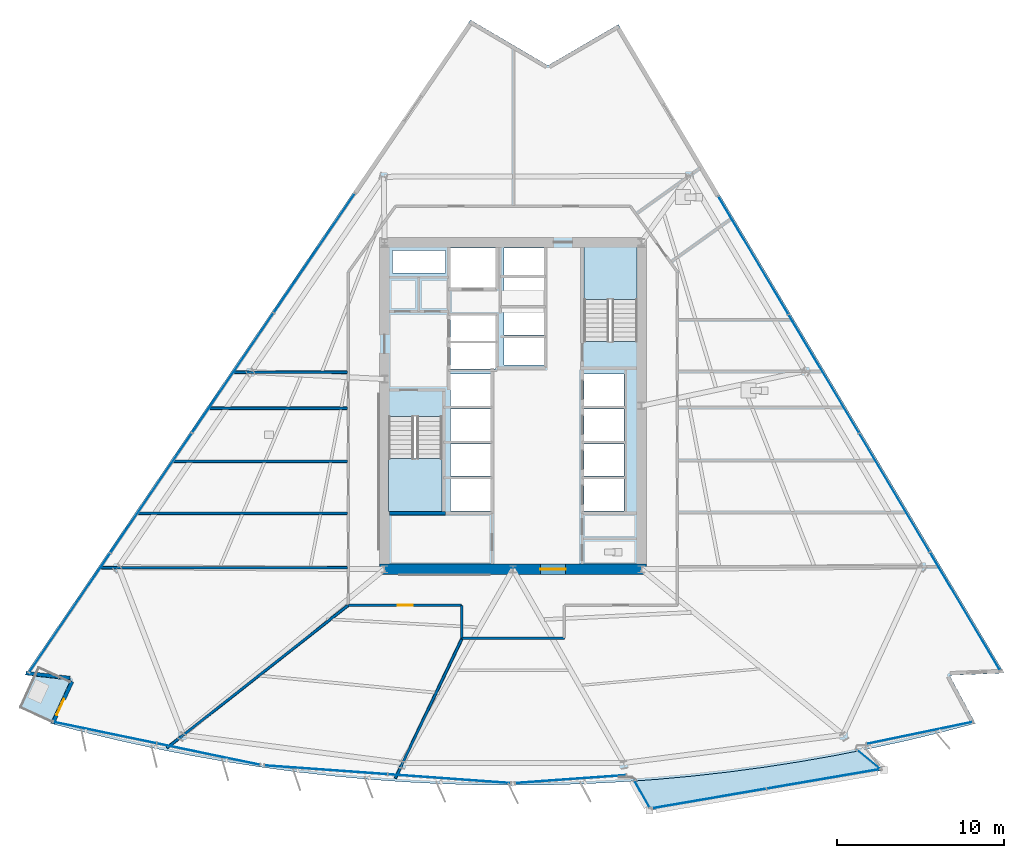
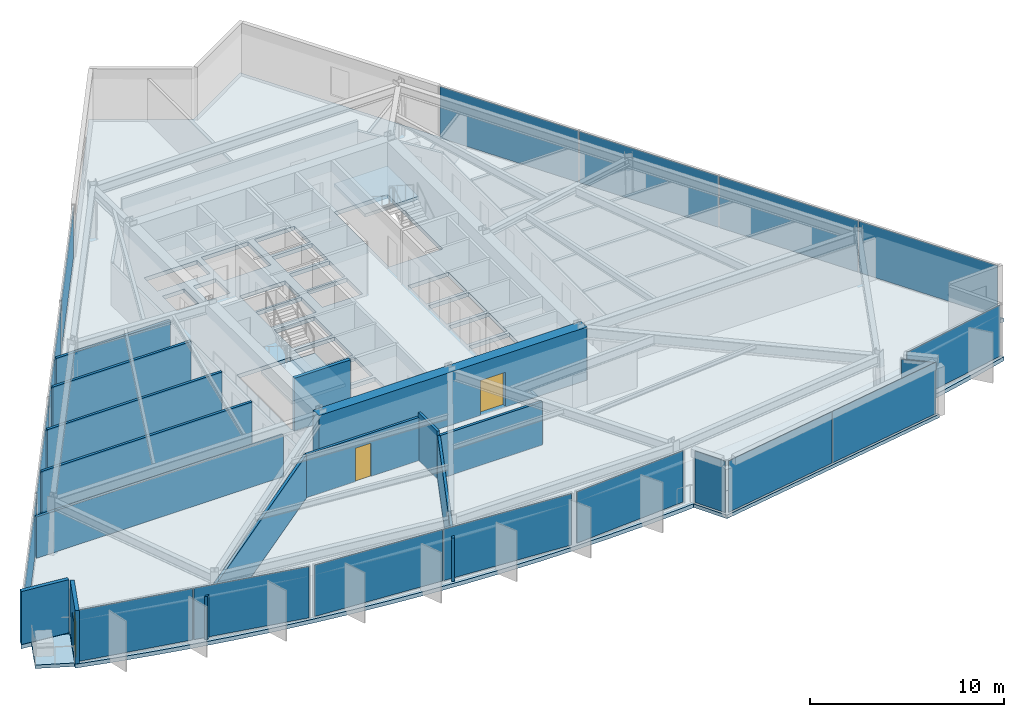
# One storey, part 7 of 16: 18 plates, 14 walls, 5 slabs, 3 doors, 3 openings, 11 elements without a shape of their own.
"""IFC4 building model written with IfcOpenShell, lengths in metres."""

from ifc_helpers import new_model, si_unit, direction, frame, frame_2d, origin, origin_2d, place, context, subcontext, project, spatial, polyline, rectangle, outline, extrude, material, layer, layer_set, type_object, element, fill, aggregate, save


model = new_model("IFC4")

# Units and contexts
model_context = context("Model", 3, precision=1e-05, world=origin(), true_north=direction((0.0, 1.0)))
body_context = subcontext(model_context, "Body", "Model", "MODEL_VIEW")
ifc_project = project(units=[si_unit("LENGTHUNIT", "METRE"), si_unit("AREAUNIT", "SQUARE_METRE"), si_unit("VOLUMEUNIT", "CUBIC_METRE"), si_unit("PLANEANGLEUNIT", "RADIAN"), si_unit("MASSUNIT", "GRAM", prefix="KILO")], contexts=[model_context])

# Site, building, storey
site_placement = place(None, origin())
site = spatial("IfcSite", under=ifc_project, at=site_placement, CompositionType="ELEMENT")
building_placement = place(site_placement, origin())
building = spatial("IfcBuilding", under=site, at=building_placement, Name="Savorim Split Tower", CompositionType="ELEMENT")
storey_placement = place(building_placement, frame((0.0, 0.0, 51.60009765625)))
storey = spatial("IfcBuildingStorey", under=building, at=storey_placement, Name="L13", CompositionType="ELEMENT", Elevation=51.60009765625)

# Curtain wall, plates
ifc_material_1 = material(Name="Dark Ceramic-Fritted Insulated Glass", Category="glass")
curtain_wall_type_1 = type_object("IfcCurtainWallType", Name="CW-TWR-FRIT-A", PredefinedType="NOTDEFINED", material=ifc_material_1)
curtain_wall_1_placement = place(storey_placement, origin())
curtain_wall_1 = element("IfcCurtainWall", 1, at=curtain_wall_1_placement, inside=storey, type_object=curtain_wall_type_1, Name="L13 Curtain Wall CW-L13-SF1A", PredefinedType="NOTDEFINED")
ifc_layer_1 = layer(ifc_material_1, 0.028076171875)
ifc_layer_set_1 = layer_set([ifc_layer_1], Name="CWP-FRITA-28")
plate_type_1 = type_object("IfcPlateType", Name="CWP-FRITA-28", PredefinedType="CURTAIN_PANEL", material=ifc_layer_set_1)
plate_1_placement = place(storey_placement, frame((-24.46240234375, -19.19482421875, 0.0546875), z_axis=(0.0, 0.0, 1.0), x_axis=(0.979133896415, -0.203216172809, 0.0)))
plate_1 = element("IfcPlate", 2, at=plate_1_placement, type_object=plate_type_1, Name="CW-02 panel 1.1", PredefinedType="CURTAIN_PANEL", context=body_context, shape_type="SweptSolid", body=[
    extrude(rectangle(XDim=6.27099609375, YDim=0.028076171875, at=origin_2d()), origin(), (0.0, 0.0, 1.0), 3.239990234375),
])
plate_2_placement = place(storey_placement, frame((-18.258544921875, -20.482421875, 0.0546875), z_axis=(0.0, 0.0, 1.0), x_axis=(0.979133896415, -0.203216172809, 0.0)))
plate_2 = element("IfcPlate", 3, at=plate_2_placement, type_object=plate_type_1, Name="CW-02 panel 2.1", PredefinedType="CURTAIN_PANEL", context=body_context, shape_type="SweptSolid", body=[
    extrude(rectangle(XDim=6.27099609375, YDim=0.028076171875, at=origin_2d()), origin(), (0.0, 0.0, 1.0), 3.239990234375),
])
aggregate(curtain_wall_1, [plate_1, plate_2])

curtain_wall_2_placement = place(storey_placement, origin())
curtain_wall_2 = element("IfcCurtainWall", 4, at=curtain_wall_2_placement, inside=storey, type_object=curtain_wall_type_1, Name="L13 Curtain Wall CW-L13-SF2A", PredefinedType="NOTDEFINED")
plate_3_placement = place(storey_placement, frame((-11.2138671875, -21.425537109375, 0.0546875), z_axis=(0.0, 0.0, 1.0), x_axis=(0.99743638956, -0.071558708634, 0.0)))
plate_3 = element("IfcPlate", 5, at=plate_3_placement, type_object=plate_type_1, Name="CW-02 panel 1.1", PredefinedType="CURTAIN_PANEL", context=body_context, shape_type="SweptSolid", body=[
    extrude(rectangle(XDim=7.347412109375, YDim=0.028076171875, at=origin_2d()), origin(), (0.0, 0.0, 1.0), 3.239990234375),
])
plate_4_placement = place(storey_placement, frame((-3.8203125, -21.9560546875, 0.0546875), z_axis=(0.0, 0.0, 1.0), x_axis=(0.99743638956, -0.071558708634, 0.0)))
plate_4 = element("IfcPlate", 6, at=plate_4_placement, type_object=plate_type_1, Name="CW-02 panel 2.1", PredefinedType="CURTAIN_PANEL", context=body_context, shape_type="SweptSolid", body=[
    extrude(rectangle(XDim=7.347412109375, YDim=0.028076171875, at=origin_2d()), origin(), (0.0, 0.0, 1.0), 3.239990234375),
])
aggregate(curtain_wall_2, [plate_3, plate_4])

# Curtain wall, plate
curtain_wall_3_placement = place(storey_placement, origin())
curtain_wall_3 = element("IfcCurtainWall", 7, at=curtain_wall_3_placement, inside=storey, type_object=curtain_wall_type_1, Name="L13 Curtain Wall CW-L13-SF3A", PredefinedType="NOTDEFINED")
plate_5_placement = place(storey_placement, frame((3.45947265625, -21.98193359375, 0.0546875), z_axis=(0.0, 0.0, 1.0), x_axis=(0.997436404283, 0.071558503422, 0.0)))
plate_5 = element("IfcPlate", 8, at=plate_5_placement, type_object=plate_type_1, Name="CW-02 panel 1.1", PredefinedType="CURTAIN_PANEL", context=body_context, shape_type="SweptSolid", body=[
    extrude(rectangle(XDim=6.6240234375, YDim=0.028076171875, at=origin_2d()), origin(), (0.0, 0.0, 1.0), 3.239990234375),
])
aggregate(curtain_wall_3, [plate_5])

curtain_wall_4_placement = place(storey_placement, origin())
curtain_wall_4 = element("IfcCurtainWall", 9, at=curtain_wall_4_placement, inside=storey, type_object=curtain_wall_type_1, Name="L13 Curtain Wall CW-L13-SF4A", PredefinedType="NOTDEFINED")
plate_6_placement = place(storey_placement, frame((24.37451171875, -19.212890625, 0.0546875), z_axis=(0.0, 0.0, 1.0), x_axis=(0.979135263748, 0.203209584628, 0.0)))
plate_6 = element("IfcPlate", 10, at=plate_6_placement, type_object=plate_type_1, Name="CW-02 panel 1.1", PredefinedType="CURTAIN_PANEL", context=body_context, shape_type="SweptSolid", body=[
    extrude(rectangle(XDim=6.450439453125, YDim=0.028076171875, at=origin_2d()), origin(), (0.0, 0.0, 1.0), 3.239990234375),
])
aggregate(curtain_wall_4, [plate_6])

# Curtain wall, plates
curtain_wall_5_placement = place(storey_placement, origin())
curtain_wall_5 = element("IfcCurtainWall", 11, at=curtain_wall_5_placement, inside=storey, type_object=curtain_wall_type_1, Name="L13 Curtain Wall CW-L13-EAST", PredefinedType="NOTDEFINED")
plate_7_placement = place(storey_placement, frame((27.0947265625, -11.918701171875, 0.0546875), z_axis=(0.0, 0.0, 1.0), x_axis=(-0.511092320583, 0.859525822673, 0.0)))
plate_7 = element("IfcPlate", 12, at=plate_7_placement, type_object=plate_type_1, Name="CW-02 panel 1.1", PredefinedType="CURTAIN_PANEL", context=body_context, shape_type="SweptSolid", body=[
    extrude(rectangle(XDim=8.18896484375, YDim=0.028076171875, at=origin_2d()), origin(), (0.0, 0.0, 1.0), 3.239990234375),
])
plate_8_placement = place(storey_placement, frame((22.867919921875, -4.81005859375, 0.0546875), z_axis=(0.0, 0.0, 1.0), x_axis=(-0.511092320583, 0.859525822673, 0.0)))
plate_8 = element("IfcPlate", 13, at=plate_8_placement, type_object=plate_type_1, Name="CW-02 panel 2.1", PredefinedType="CURTAIN_PANEL", context=body_context, shape_type="SweptSolid", body=[
    extrude(rectangle(XDim=8.221435546875, YDim=0.028076171875, at=origin_2d()), origin(), (0.0, 0.0, 1.0), 3.239990234375),
])
plate_9_placement = place(storey_placement, frame((18.632568359375, 2.3125, 0.0546875), z_axis=(0.0, 0.0, 1.0), x_axis=(-0.511092320583, 0.859525822673, 0.0)))
plate_9 = element("IfcPlate", 14, at=plate_9_placement, type_object=plate_type_1, Name="CW-02 panel 3.1", PredefinedType="CURTAIN_PANEL", context=body_context, shape_type="SweptSolid", body=[
    extrude(rectangle(XDim=8.221435546875, YDim=0.028076171875, at=origin_2d()), origin(), (0.0, 0.0, 1.0), 3.239990234375),
])
plate_10_placement = place(storey_placement, frame((14.40576171875, 9.4208984375, 0.0546875), z_axis=(0.0, 0.0, 1.0), x_axis=(-0.511092320583, 0.859525822673, 0.0)))
plate_10 = element("IfcPlate", 15, at=plate_10_placement, type_object=plate_type_1, Name="CW-02 panel 4.1", PredefinedType="CURTAIN_PANEL", context=body_context, shape_type="SweptSolid", body=[
    extrude(rectangle(XDim=8.18896484375, YDim=0.028076171875, at=origin_2d()), origin(), (0.0, 0.0, 1.0), 3.239990234375),
])
aggregate(curtain_wall_5, [plate_7, plate_8, plate_9, plate_10])

curtain_wall_6_placement = place(storey_placement, origin())
curtain_wall_6 = element("IfcCurtainWall", 16, at=curtain_wall_6_placement, inside=storey, type_object=curtain_wall_type_1, Name="L13 Curtain Wall CW-L13-WEST", PredefinedType="NOTDEFINED")
plate_11_placement = place(storey_placement, frame((-11.907470703125, 9.5517578125, 0.0546875), z_axis=(0.0, 0.0, 1.0), x_axis=(-0.562466356423, -0.826820172644, 0.0)))
plate_11 = element("IfcPlate", 17, at=plate_11_placement, type_object=plate_type_1, Name="CW-02 panel 1.1", PredefinedType="CURTAIN_PANEL", context=body_context, shape_type="SweptSolid", body=[
    extrude(rectangle(XDim=8.606201171875, YDim=0.028076171875, at=origin_2d()), origin(), (0.0, 0.0, 1.0), 3.239990234375),
])
plate_12_placement = place(storey_placement, frame((-16.7939453125, 2.368896484375, 0.0546875), z_axis=(0.0, 0.0, 1.0), x_axis=(-0.562466356423, -0.826820172644, 0.0)))
plate_12 = element("IfcPlate", 18, at=plate_12_placement, type_object=plate_type_1, Name="CW-02 panel 2.1", PredefinedType="CURTAIN_PANEL", context=body_context, shape_type="SweptSolid", body=[
    extrude(rectangle(XDim=8.638671875, YDim=0.028076171875, at=origin_2d()), origin(), (0.0, 0.0, 1.0), 3.239990234375),
])
plate_13_placement = place(storey_placement, frame((-21.689453125, -4.82763671875, 0.0546875), z_axis=(0.0, 0.0, 1.0), x_axis=(-0.562466356423, -0.826820172644, 0.0)))
plate_13 = element("IfcPlate", 19, at=plate_13_placement, type_object=plate_type_1, Name="CW-02 panel 3.1", PredefinedType="CURTAIN_PANEL", context=body_context, shape_type="SweptSolid", body=[
    extrude(rectangle(XDim=8.638671875, YDim=0.028076171875, at=origin_2d()), origin(), (0.0, 0.0, 1.0), 3.239990234375),
])
plate_14_placement = place(storey_placement, frame((-26.57568359375, -12.010498046875, 0.0546875), z_axis=(0.0, 0.0, 1.0), x_axis=(-0.562466356423, -0.826820172644, 0.0)))
plate_14 = element("IfcPlate", 20, at=plate_14_placement, type_object=plate_type_1, Name="CW-02 panel 4.1", PredefinedType="CURTAIN_PANEL", context=body_context, shape_type="SweptSolid", body=[
    extrude(rectangle(XDim=8.606201171875, YDim=0.028076171875, at=origin_2d()), origin(), (0.0, 0.0, 1.0), 3.239990234375),
])
aggregate(curtain_wall_6, [plate_11, plate_12, plate_13, plate_14])

curtain_wall_type_2 = type_object("IfcCurtainWallType", Name="CW-BAY-LOUNGE", PredefinedType="NOTDEFINED", material=ifc_material_1)
curtain_wall_7_placement = place(storey_placement, origin())
curtain_wall_7 = element("IfcCurtainWall", 21, at=curtain_wall_7_placement, inside=storey, type_object=curtain_wall_type_2, Name="L13 Curtain Wall CW-L13-BAYF", PredefinedType="NOTDEFINED")
ifc_material_2 = material(Name="Low-E Operable Double Glazing", Category="glass")
ifc_layer_2 = layer(ifc_material_2, 0.031982421875)
ifc_layer_set_2 = layer_set([ifc_layer_2], Name="CWP-POD-32")
plate_type_2 = type_object("IfcPlateType", Name="CWP-POD-32", PredefinedType="CURTAIN_PANEL", material=ifc_layer_set_2)
plate_15_placement = place(storey_placement, frame((11.75537109375, -23.145263671875, 0.0546875), z_axis=(0.0, 0.0, 1.0), x_axis=(0.985629301473, 0.168922704446, 0.0)))
plate_15 = element("IfcPlate", 22, at=plate_15_placement, type_object=plate_type_2, Name="CW-04 panel 1.1", PredefinedType="CURTAIN_PANEL", context=body_context, shape_type="SweptSolid", body=[
    extrude(rectangle(XDim=6.924072265625, YDim=0.031982421875, at=origin_2d()), origin(), (0.0, 0.0, 1.0), 3.239990234375),
])
plate_16_placement = place(storey_placement, frame((18.64404296875, -21.964599609375, 0.0546875), z_axis=(0.0, 0.0, 1.0), x_axis=(0.985629301473, 0.168922704446, 0.0)))
plate_16 = element("IfcPlate", 23, at=plate_16_placement, type_object=plate_type_2, Name="CW-04 panel 2.1", PredefinedType="CURTAIN_PANEL", context=body_context, shape_type="SweptSolid", body=[
    extrude(rectangle(XDim=6.924072265625, YDim=0.031982421875, at=origin_2d()), origin(), (0.0, 0.0, 1.0), 3.239990234375),
])
aggregate(curtain_wall_7, [plate_15, plate_16])

# Curtain wall, plate
curtain_wall_8_placement = place(storey_placement, origin())
curtain_wall_8 = element("IfcCurtainWall", 24, at=curtain_wall_8_placement, inside=storey, type_object=curtain_wall_type_2, Name="L13 Curtain Wall CW-L13-BAYW", PredefinedType="NOTDEFINED")
plate_17_placement = place(storey_placement, frame((7.73779296875, -22.879150390625, 0.0546875), z_axis=(0.0, 0.0, 1.0), x_axis=(0.492259363735, -0.870448573332, 0.0)))
plate_17 = element("IfcPlate", 25, at=plate_17_placement, type_object=plate_type_2, Name="CW-04 panel 1.1", PredefinedType="CURTAIN_PANEL", context=body_context, shape_type="SweptSolid", body=[
    extrude(rectangle(XDim=1.81005859375, YDim=0.031982421875, at=origin_2d()), origin(), (0.0, 0.0, 1.0), 3.239990234375),
])
aggregate(curtain_wall_8, [plate_17])

curtain_wall_9_placement = place(storey_placement, origin())
curtain_wall_9 = element("IfcCurtainWall", 26, at=curtain_wall_9_placement, inside=storey, type_object=curtain_wall_type_2, Name="L13 Curtain Wall CW-L13-BAYE", PredefinedType="NOTDEFINED")
plate_18_placement = place(storey_placement, frame((21.326904296875, -20.808349609375, 0.0546875), z_axis=(0.0, 0.0, 1.0), x_axis=(-0.770361091507, 0.637607864358, 0.0)))
plate_18 = element("IfcPlate", 27, at=plate_18_placement, type_object=plate_type_2, Name="CW-04 panel 1.1", PredefinedType="CURTAIN_PANEL", context=body_context, shape_type="SweptSolid", body=[
    extrude(rectangle(XDim=1.705078125, YDim=0.031982421875, at=origin_2d()), origin(), (0.0, 0.0, 1.0), 3.239990234375),
])
aggregate(curtain_wall_9, [plate_18])

# Slabs
ifc_material_3 = material(Name="Concrete C50/60", Category="concrete")
ifc_layer_3 = layer(ifc_material_3, 0.219970703125)
ifc_layer_set_3 = layer_set([ifc_layer_3], Name="SLB-BAL-220")
slab_type_1 = type_object("IfcSlabType", Name="SLB-BAL-220", PredefinedType="FLOOR", material=ifc_layer_set_3)
slab_1_placement = place(storey_placement, frame((0.0, 0.0, -0.22021484375)))
element("IfcSlab", 28, at=slab_1_placement, inside=storey, type_object=slab_type_1, Name="L13 Cantilevered Shared Kitchen Lounge Slab", PredefinedType="FLOOR", context=body_context, shape_type="SweptSolid", body=[
    extrude(outline(polyline([(20.830322265625, -20.267578125), (19.308349609375, -20.5673828125), (17.183349609375, -20.940673828125), (15.05126953125, -21.2705078125), (12.912841796875, -21.556640625), (10.768798828125, -21.799072265625), (8.62060546875, -21.997314453125), (7.1826171875, -22.1005859375), (8.177490234375, -23.85986328125), (22.255615234375, -21.447021484375), (20.830322265625, -20.267578125)])), origin(), (0.0, 0.0, 1.0), 0.22021484375),
])
slab_2_placement = place(storey_placement, frame((0.0, 0.0, -0.22021484375)))
element("IfcSlab", 29, at=slab_2_placement, inside=storey, type_object=slab_type_1, Name="L13 Notched Corner Planted Tree Balcony Slab", PredefinedType="FLOOR", context=body_context, shape_type="SweptSolid", body=[
    extrude(outline(polyline([(-27.6728515625, -18.530517578125), (-26.578369140625, -16.1484375), (-26.888916015625, -16.005859375), (-28.672119140625, -15.806640625), (-29.531005859375, -17.6767578125), (-27.6728515625, -18.530517578125)])), origin(), (0.0, 0.0, 1.0), 0.22021484375),
])

# Stair, slab
stair_type = type_object("IfcStairType", Name="STR-DOG-3600", PredefinedType="HALF_TURN_STAIR", material=ifc_material_3)
stair_1_placement = place(storey_placement, origin())
stair_1 = element("IfcStair", 30, at=stair_1_placement, inside=storey, type_object=stair_type, Name="L13 Core Protected Exit Stair ST-1", PredefinedType="HALF_TURN_STAIR")
ifc_layer_4 = layer(ifc_material_3, 0.199951171875)
ifc_layer_set_4 = layer_set([ifc_layer_4], Name="SLB-LND-200")
slab_type_2 = type_object("IfcSlabType", Name="SLB-LND-200", PredefinedType="LANDING", material=ifc_layer_set_4)
slab_3_placement = place(storey_placement, frame((0.0, 0.0, 1.599853515625)))
slab_3 = element("IfcSlab", 31, at=slab_3_placement, type_object=slab_type_2, Name="ST-1 landing 1", PredefinedType="LANDING", context=body_context, shape_type="SweptSolid", body=[
    extrude(outline(polyline([(-7.449951171875, -2.77001953125), (-7.449951171875, -5.949951171875), (-4.25, -5.949951171875), (-4.25, -2.77001953125), (-7.449951171875, -2.77001953125)])), origin(), (0.0, 0.0, 1.0), 0.199951171875),
])
aggregate(stair_1, [slab_3])

stair_2_placement = place(storey_placement, origin())
stair_2 = element("IfcStair", 32, at=stair_2_placement, inside=storey, type_object=stair_type, Name="L13 Core Protected Exit Stair ST-2", PredefinedType="HALF_TURN_STAIR")
slab_4_placement = place(storey_placement, frame((0.0, 0.0, 1.599853515625)))
slab_4 = element("IfcSlab", 33, at=slab_4_placement, type_object=slab_type_2, Name="ST-2 landing 1", PredefinedType="LANDING", context=body_context, shape_type="SweptSolid", body=[
    extrude(outline(polyline([(7.449951171875, 6.77001953125), (7.449951171875, 9.949951171875), (4.25, 9.949951171875), (4.25, 6.77001953125), (7.449951171875, 6.77001953125)])), origin(), (0.0, 0.0, 1.0), 0.199951171875),
])
aggregate(stair_2, [slab_4])

# Slab
ifc_layer_5 = layer(ifc_material_3, 0.25)
ifc_layer_set_5 = layer_set([ifc_layer_5], Name="SLB-TWR-250")
slab_type_3 = type_object("IfcSlabType", Name="SLB-TWR-250", PredefinedType="FLOOR", material=ifc_layer_set_5)
slab_5_placement = place(storey_placement, frame((0.0, 0.0, -0.25)))
element("IfcSlab", 34, at=slab_5_placement, inside=storey, type_object=slab_type_3, Name="L13 Structural Floor Slab", PredefinedType="FLOOR", context=body_context, shape_type="SweptSolid", body=[
    extrude(outline(polyline([(-27.718505859375, -18.6416015625), (-25.631103515625, -19.1875), (-23.533203125, -19.6904296875), (-21.42529296875, -20.150390625), (-19.308349609375, -20.5673828125), (-17.183349609375, -20.940673828125), (-15.05126953125, -21.2705078125), (-12.912841796875, -21.556640625), (-10.768798828125, -21.799072265625), (-8.62060546875, -21.997314453125), (-6.468505859375, -22.15185546875), (-4.31396484375, -22.26220703125), (-2.157470703125, -22.328369140625), (0.0, -22.350341796875), (2.157470703125, -22.328369140625), (4.31396484375, -22.26220703125), (6.468505859375, -22.15185546875), (8.62060546875, -21.997314453125), (10.768798828125, -21.799072265625), (12.912841796875, -21.556640625), (15.05126953125, -21.2705078125), (17.183349609375, -20.940673828125), (19.308349609375, -20.5673828125), (21.42529296875, -20.150390625), (23.533203125, -19.6904296875), (25.631103515625, -19.1875), (27.718505859375, -18.6416015625), (26.17236328125, -15.760498046875), (29.436279296875, -15.62158203125), (6.318603515625, 23.256591796875), (2.098388671875, 20.797119140625), (-2.5458984375, 23.526611328125), (-29.255615234375, -15.736572265625), (-26.523681640625, -16.04150390625), (-27.718505859375, -18.6416015625)]), holes=[polyline([(-7.449951171875, -0.25390625), (-7.449951171875, -5.949951171875), (-4.25, -5.949951171875), (-4.25, -0.25390625), (-7.449951171875, -0.25390625)]), polyline([(7.449951171875, 4.25390625), (7.449951171875, 9.949951171875), (4.25, 9.949951171875), (4.25, 4.25390625), (7.449951171875, 4.25390625)]), polyline([(4.25, -5.89990234375), (6.64990234375, -5.89990234375), (6.64990234375, -4.0), (4.25, -4.0), (4.25, -5.89990234375)]), polyline([(4.25, -3.800048828125), (6.64990234375, -3.800048828125), (6.64990234375, -1.89990234375), (4.25, -1.89990234375), (4.25, -3.800048828125)]), polyline([(4.25, -1.699951171875), (6.64990234375, -1.699951171875), (6.64990234375, 0.199951171875), (4.25, 0.199951171875), (4.25, -1.699951171875)]), polyline([(4.25, 0.39990234375), (6.64990234375, 0.39990234375), (6.64990234375, 2.300048828125), (4.25, 2.300048828125), (4.25, 0.39990234375)]), polyline([(-3.75, -5.89990234375), (-1.35009765625, -5.89990234375), (-1.35009765625, -4.0), (-3.75, -4.0), (-3.75, -5.89990234375)]), polyline([(-3.75, -3.800048828125), (-1.35009765625, -3.800048828125), (-1.35009765625, -1.89990234375), (-3.75, -1.89990234375), (-3.75, -3.800048828125)]), polyline([(-3.75, -1.699951171875), (-1.35009765625, -1.699951171875), (-1.35009765625, 0.199951171875), (-3.75, 0.199951171875), (-3.75, -1.699951171875)]), polyline([(-3.75, 0.39990234375), (-1.35009765625, 0.39990234375), (-1.35009765625, 2.300048828125), (-3.75, 2.300048828125), (-3.75, 0.39990234375)]), polyline([(-0.550048828125, 2.830078125), (1.85009765625, 2.830078125), (1.85009765625, 4.469970703125), (-0.550048828125, 4.469970703125), (-0.550048828125, 2.830078125)]), polyline([(-0.550048828125, 4.6298828125), (1.85009765625, 4.6298828125), (1.85009765625, 6.27001953125), (-0.550048828125, 6.27001953125), (-0.550048828125, 4.6298828125)]), polyline([(-0.550048828125, 6.429931640625), (1.85009765625, 6.429931640625), (1.85009765625, 8.070068359375), (-0.550048828125, 8.070068359375), (-0.550048828125, 6.429931640625)]), polyline([(-0.550048828125, 8.22998046875), (1.85009765625, 8.22998046875), (1.85009765625, 9.8701171875), (-0.550048828125, 9.8701171875), (-0.550048828125, 8.22998046875)]), polyline([(-3.75, 2.60009765625), (-1.050048828125, 2.60009765625), (-1.050048828125, 4.159912109375), (-3.75, 4.159912109375), (-3.75, 2.60009765625)]), polyline([(-3.75, 4.280029296875), (-1.050048828125, 4.280029296875), (-1.050048828125, 5.840087890625), (-3.75, 5.840087890625), (-3.75, 4.280029296875)]), polyline([(-3.75, 7.449951171875), (-0.949951171875, 7.449951171875), (-0.949951171875, 9.85009765625), (-3.75, 9.85009765625), (-3.75, 7.449951171875)]), polyline([(-7.219970703125, 6.320068359375), (-5.919921875, 6.320068359375), (-5.919921875, 7.820068359375), (-7.219970703125, 7.820068359375), (-7.219970703125, 6.320068359375)]), polyline([(-5.3798828125, 6.320068359375), (-4.050048828125, 6.320068359375), (-4.050048828125, 7.820068359375), (-5.3798828125, 7.820068359375), (-5.3798828125, 6.320068359375)]), polyline([(-7.219970703125, 8.360107421875), (-4.050048828125, 8.360107421875), (-4.050048828125, 9.719970703125), (-7.219970703125, 9.719970703125), (-7.219970703125, 8.360107421875)])]), origin(), (0.0, 0.0, 1.0), 0.25),
])

# Wall, opening, door
ifc_material_4 = material(Name="Concrete C60/75", Category="concrete")
ifc_layer_6 = layer(ifc_material_4, 0.60009765625)
ifc_layer_set_6 = layer_set([ifc_layer_6], Name="WAL-COR-SH600")
wall_type_1 = type_object("IfcWallType", Name="WAL-COR-SH600", PredefinedType="SHEAR", material=ifc_layer_set_6)
wall_1_placement = place(storey_placement, frame((-8.0, -9.39990234375, 0.0), z_axis=(0.0, 0.0, 1.0), x_axis=(1.0, 0.0, 0.0)))
wall_1 = element("IfcWall", 35, at=wall_1_placement, inside=storey, type_object=wall_type_1, Name="L13 Offset Core South Shear Wall", PredefinedType="SHEAR", context=body_context, shape_type="SweptSolid", body=[
    extrude(rectangle(XDim=16.0, YDim=0.60009765625, at=frame_2d((8.0, 0.0))), origin(), (0.0, 0.0, 1.0), 3.349853515625),
])
opening_1_placement = place(wall_1_placement, frame((9.64990234375, 0.0, 0.0)))
opening_1 = element("IfcOpeningElement", 36, at=opening_1_placement, cuts=wall_1, Name="Opening DI-02", PredefinedType="OPENING", context=body_context, shape_type="SweptSolid", body=[
    extrude(rectangle(XDim=1.5, YDim=2.199951171875, at=frame_2d((0.75, 1.10009765625))), frame((0.0, 0.31005859375, 0.0), z_axis=(0.0, -1.0, 0.0), x_axis=(1.0, 0.0, 0.0)), (0.0, 0.0, 1.0), 0.6201171875),
])
ifc_material_5 = material(Name="Timber Fire Door Leaf", Category="wood")
door_type_1 = type_object("IfcDoorType", Name="DOR-DBL-1500", OperationType="NOTDEFINED", PredefinedType="DOOR", material=ifc_material_5)
door_1_placement = place(opening_1_placement, origin())
door_1 = element("IfcDoor", 37, at=door_1_placement, inside=storey, type_object=door_type_1, Name="DOR-L13-COR-LLOB - L13 Lift Lobby Main Rated Door", OperationType="DOUBLE_DOOR_SINGLE_SWING", OverallHeight=2.199951171875, OverallWidth=1.5, PredefinedType="DOOR", context=body_context, shape_type="SweptSolid", body=[
    extrude(rectangle(XDim=1.5, YDim=2.199951171875, at=frame_2d((0.75, 1.10009765625))), frame((0.0, 0.02490234375, 0.0), z_axis=(0.0, -1.0, 0.0), x_axis=(1.0, 0.0, 0.0)), (0.0, 0.0, 1.0), 0.050048828125),
])
fill(opening_1, door_1)

# Wall
ifc_material_6 = material(Name="Precast concrete C40/50", Category="concrete")
ifc_layer_7 = layer(ifc_material_6, 0.219970703125)
ifc_layer_set_7 = layer_set([ifc_layer_7], Name="WAL-EXT-CRN220")
wall_type_2 = type_object("IfcWallType", Name="WAL-EXT-CRN220", PredefinedType="SOLIDWALL", material=ifc_layer_set_7)
wall_2_placement = place(storey_placement, frame((-26.55029296875, -15.917724609375, 0.0), z_axis=(0.0, 0.0, 1.0), x_axis=(-0.993824465748, 0.110963648468, 0.0)))
element("IfcWall", 38, at=wall_2_placement, inside=storey, type_object=wall_type_2, Name="L13 Notched Corner Facade Wall SW1", PredefinedType="SOLIDWALL", context=body_context, shape_type="SweptSolid", body=[
    extrude(rectangle(XDim=2.6689453125, YDim=0.219970703125, at=frame_2d((1.33447265625, 0.0))), origin(), (0.0, 0.0, 1.0), 3.349853515625),
])

# Wall, opening, door
wall_3_placement = place(storey_placement, frame((-27.5927734375, -18.655517578125, 0.0), z_axis=(0.0, 0.0, 1.0), x_axis=(0.417515840695, 0.908669644463, 0.0)))
wall_3 = element("IfcWall", 39, at=wall_3_placement, inside=storey, type_object=wall_type_2, Name="L13 Notched Corner Facade Wall SW", PredefinedType="SOLIDWALL", context=body_context, shape_type="SweptSolid", body=[
    extrude(rectangle(XDim=2.78173828125, YDim=0.219970703125, at=frame_2d((1.390869140625, 0.0))), origin(), (0.0, 0.0, 1.0), 3.349853515625),
])
opening_2_placement = place(wall_3_placement, frame((0.565673828125, 0.0, 0.0)))
opening_2 = element("IfcOpeningElement", 40, at=opening_2_placement, cuts=wall_3, Name="Opening DB-01", PredefinedType="OPENING", context=body_context, shape_type="SweptSolid", body=[
    extrude(rectangle(XDim=1.050048828125, YDim=2.14990234375, at=frame_2d((0.52490234375, 1.074951171875))), frame((0.0, 0.119873046875, 0.0), z_axis=(0.0, -1.0, 0.0), x_axis=(1.0, 0.0, 0.0)), (0.0, 0.0, 1.0), 0.239990234375),
])
ifc_material_7 = material(Name="Charcoal Anodised Aluminium", Category="aluminium")
door_type_2 = type_object("IfcDoorType", Name="DOR-BAL-1050", OperationType="NOTDEFINED", PredefinedType="DOOR", material=ifc_material_7)
door_2_placement = place(opening_2_placement, origin())
door_2 = element("IfcDoor", 41, at=door_2_placement, inside=storey, type_object=door_type_2, Name="DOR-L13-TBAL-SW - L13 Planted Tree Balcony Door SW", OperationType="SINGLE_SWING_RIGHT", OverallHeight=2.14990234375, OverallWidth=1.050048828125, PredefinedType="DOOR", context=body_context, shape_type="SweptSolid", body=[
    extrude(rectangle(XDim=1.050048828125, YDim=2.14990234375, at=frame_2d((0.52490234375, 1.074951171875))), frame((0.0, 0.02490234375, 0.0), z_axis=(0.0, -1.0, 0.0), x_axis=(1.0, 0.0, 0.0)), (0.0, 0.0, 1.0), 0.050048828125),
])
fill(opening_2, door_2)

# Walls
ifc_layer_8 = layer(ifc_material_3, 0.199951171875)
ifc_layer_set_8 = layer_set([ifc_layer_8], Name="WAL-INT-RC200")
wall_type_3 = type_object("IfcWallType", Name="WAL-INT-RC200", PredefinedType="SOLIDWALL", material=ifc_layer_set_8)
wall_4_placement = place(storey_placement, frame((-7.39990234375, -6.050048828125, 0.0), z_axis=(0.0, 0.0, 1.0), x_axis=(1.0, 0.0, 0.0)))
element("IfcWall", 42, at=wall_4_placement, inside=storey, type_object=wall_type_3, Name="L13 Structural Shaft Wall W-L13-KSEP-W", PredefinedType="SOLIDWALL", context=body_context, shape_type="SweptSolid", body=[
    extrude(rectangle(XDim=3.349853515625, YDim=0.199951171875, at=frame_2d((1.6748046875, 0.0))), origin(), (0.0, 0.0, 1.0), 3.349853515625),
])
ifc_material_8 = material(Name="Acoustic Gypsum Partition Board")
ifc_layer_9 = layer(ifc_material_8, 0.14990234375)
ifc_layer_set_9 = layer_set([ifc_layer_9], Name="WAL-PAR-150")
wall_type_4 = type_object("IfcWallType", Name="WAL-PAR-150", PredefinedType="PARTITIONING", material=ifc_layer_set_9)
wall_5_placement = place(storey_placement, frame((3.080078125, -13.530029296875, 0.0), z_axis=(0.0, 0.0, 1.0), x_axis=(-1.0, 0.0, 0.0)))
element("IfcWall", 43, at=wall_5_placement, inside=storey, type_object=wall_type_4, Name="L13 Partition W-L13-COR-08", PredefinedType="PARTITIONING", context=body_context, shape_type="SweptSolid", body=[
    extrude(rectangle(XDim=6.16015625, YDim=0.14990234375, at=frame_2d((3.080078125, 0.0))), origin(), (0.0, 0.0, 1.0), 2.724853515625),
])
wall_6_placement = place(storey_placement, frame((-3.080078125, -13.530029296875, 0.0), z_axis=(0.0, 0.0, 1.0), x_axis=(0.0, 1.0, 0.0)))
element("IfcWall", 44, at=wall_6_placement, inside=storey, type_object=wall_type_4, Name="L13 Partition W-L13-COR-09", PredefinedType="PARTITIONING", context=body_context, shape_type="SweptSolid", body=[
    extrude(rectangle(XDim=1.969970703125, YDim=0.14990234375, at=frame_2d((0.98486328125, 0.0))), origin(), (0.0, 0.0, 1.0), 2.994873046875),
])

# Wall, opening, door
wall_7_placement = place(storey_placement, frame((-3.080078125, -11.56005859375, 0.0), z_axis=(0.0, 0.0, 1.0), x_axis=(-1.0, 0.0, 0.0)))
wall_7 = element("IfcWall", 45, at=wall_7_placement, inside=storey, type_object=wall_type_4, Name="L13 Partition W-L13-COR-10", PredefinedType="PARTITIONING", context=body_context, shape_type="SweptSolid", body=[
    extrude(rectangle(XDim=6.780029296875, YDim=0.14990234375, at=frame_2d((3.39013671875, 0.0))), origin(), (0.0, 0.0, 1.0), 2.724853515625),
])
opening_3_placement = place(wall_7_placement, frame((2.93994140625, 0.0, 0.0)))
opening_3 = element("IfcOpeningElement", 46, at=opening_3_placement, cuts=wall_7, Name="Opening DI-06", PredefinedType="OPENING", context=body_context, shape_type="SweptSolid", body=[
    extrude(rectangle(XDim=0.89990234375, YDim=2.10009765625, at=frame_2d((0.449951171875, 1.050048828125))), frame((0.0, 0.0849609375, 0.0), z_axis=(0.0, -1.0, 0.0), x_axis=(1.0, 0.0, 0.0)), (0.0, 0.0, 1.0), 0.169921875),
])
door_type_3 = type_object("IfcDoorType", Name="DOR-FIR-900", OperationType="NOTDEFINED", PredefinedType="DOOR", material=ifc_material_5)
door_3_placement = place(opening_3_placement, origin())
door_3 = element("IfcDoor", 47, at=door_3_placement, inside=storey, type_object=door_type_3, Name="DR-L13-RM05 - L13 Co-Working Commons Entry Door", OperationType="SINGLE_SWING_RIGHT", OverallHeight=2.10009765625, OverallWidth=0.89990234375, PredefinedType="DOOR", context=body_context, shape_type="SweptSolid", body=[
    extrude(rectangle(XDim=0.89990234375, YDim=2.10009765625, at=frame_2d((0.449951171875, 1.050048828125))), frame((0.0, 0.02490234375, 0.0), z_axis=(0.0, -1.0, 0.0), x_axis=(1.0, 0.0, 0.0)), (0.0, 0.0, 1.0), 0.050048828125),
])
fill(opening_3, door_3)

# Walls
wall_8_placement = place(storey_placement, frame((-9.88818359375, -11.568603515625, 0.0), z_axis=(0.0, 0.0, 1.0), x_axis=(-0.785986505804, -0.61824365156, 0.0)))
element("IfcWall", 48, at=wall_8_placement, inside=storey, type_object=wall_type_4, Name="L13 Partition W-L13-PRAD01", PredefinedType="PARTITIONING", context=body_context, shape_type="SweptSolid", body=[
    extrude(rectangle(XDim=13.816650390625, YDim=0.14990234375, at=frame_2d((6.908203125, 0.0))), origin(), (0.0, 0.0, 1.0), 2.724853515625),
])
wall_9_placement = place(storey_placement, frame((-3.06591796875, -13.572998046875, 0.0), z_axis=(0.0, 0.0, 1.0), x_axis=(-0.430425314069, -0.902626195614, 0.0)))
element("IfcWall", 49, at=wall_9_placement, inside=storey, type_object=wall_type_4, Name="L13 Partition W-L13-PRAD02", PredefinedType="PARTITIONING", context=body_context, shape_type="SweptSolid", body=[
    extrude(rectangle(XDim=9.268798828125, YDim=0.14990234375, at=frame_2d((4.63427734375, 0.0))), origin(), (0.0, 0.0, 1.0), 2.724853515625),
])
wall_10_placement = place(storey_placement, frame((-9.919921875, 2.411376953125, 0.0), z_axis=(0.0, 0.0, 1.0), x_axis=(-1.0, 0.0, 0.0)))
element("IfcWall", 50, at=wall_10_placement, inside=storey, type_object=wall_type_4, Name="L13 Partition W-L13-PRAD09", PredefinedType="PARTITIONING", context=body_context, shape_type="SweptSolid", body=[
    extrude(rectangle(XDim=6.78466796875, YDim=0.14990234375, at=frame_2d((3.392333984375, 0.0))), origin(), (0.0, 0.0, 1.0), 2.724853515625),
])
wall_11_placement = place(storey_placement, frame((-9.919921875, -9.31005859375, 0.0), z_axis=(0.0, 0.0, 1.0), x_axis=(-1.0, 0.0, 0.0)))
element("IfcWall", 51, at=wall_11_placement, inside=storey, type_object=wall_type_4, Name="L13 Partition W-L13-PRAD10", PredefinedType="PARTITIONING", context=body_context, shape_type="SweptSolid", body=[
    extrude(rectangle(XDim=14.758544921875, YDim=0.14990234375, at=frame_2d((7.37939453125, 0.0))), origin(), (0.0, 0.0, 1.0), 2.60888671875),
])
wall_12_placement = place(storey_placement, frame((-9.919921875, -2.9375, 0.0), z_axis=(0.0, 0.0, 1.0), x_axis=(-1.0, 0.0, 0.0)))
element("IfcWall", 52, at=wall_12_placement, inside=storey, type_object=wall_type_4, Name="L13 Partition W-L13-SUB01", PredefinedType="PARTITIONING", context=body_context, shape_type="SweptSolid", body=[
    extrude(rectangle(XDim=10.42333984375, YDim=0.14990234375, at=frame_2d((5.211669921875, 0.0))), origin(), (0.0, 0.0, 1.0), 2.73486328125),
])
wall_13_placement = place(storey_placement, frame((-9.919921875, 0.248779296875, 0.0), z_axis=(0.0, 0.0, 1.0), x_axis=(-1.0, 0.0, 0.0)))
element("IfcWall", 53, at=wall_13_placement, inside=storey, type_object=wall_type_4, Name="L13 Partition W-L13-SUB04", PredefinedType="PARTITIONING", context=body_context, shape_type="SweptSolid", body=[
    extrude(rectangle(XDim=8.255615234375, YDim=0.14990234375, at=frame_2d((4.1279296875, 0.0))), origin(), (0.0, 0.0, 1.0), 2.73486328125),
])
wall_14_placement = place(storey_placement, frame((-9.919921875, -6.052978515625, 0.0), z_axis=(0.0, 0.0, 1.0), x_axis=(-1.0, 0.0, 0.0)))
element("IfcWall", 54, at=wall_14_placement, inside=storey, type_object=wall_type_4, Name="L13 Partition W-L13-SUB05", PredefinedType="PARTITIONING", context=body_context, shape_type="SweptSolid", body=[
    extrude(rectangle(XDim=12.542724609375, YDim=0.14990234375, at=frame_2d((6.271484375, 0.0))), origin(), (0.0, 0.0, 1.0), 2.73486328125),
])

save(model, "model.ifc")
